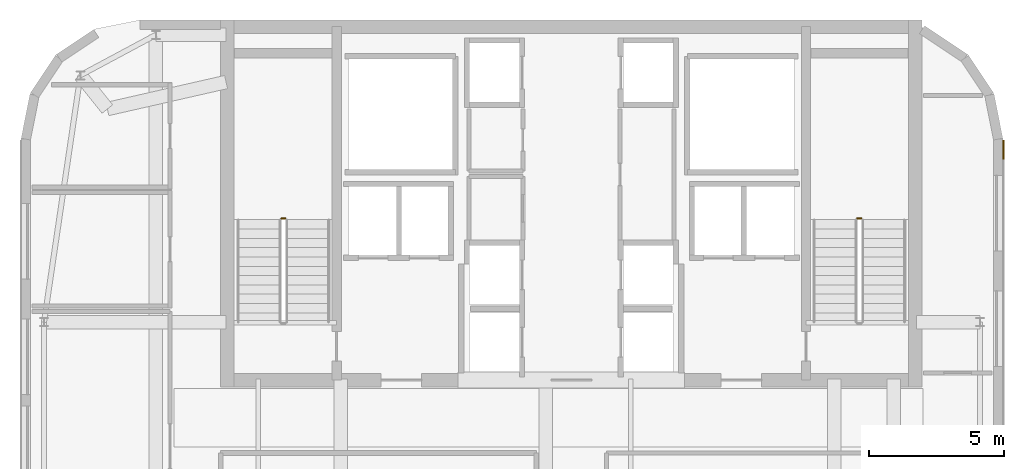
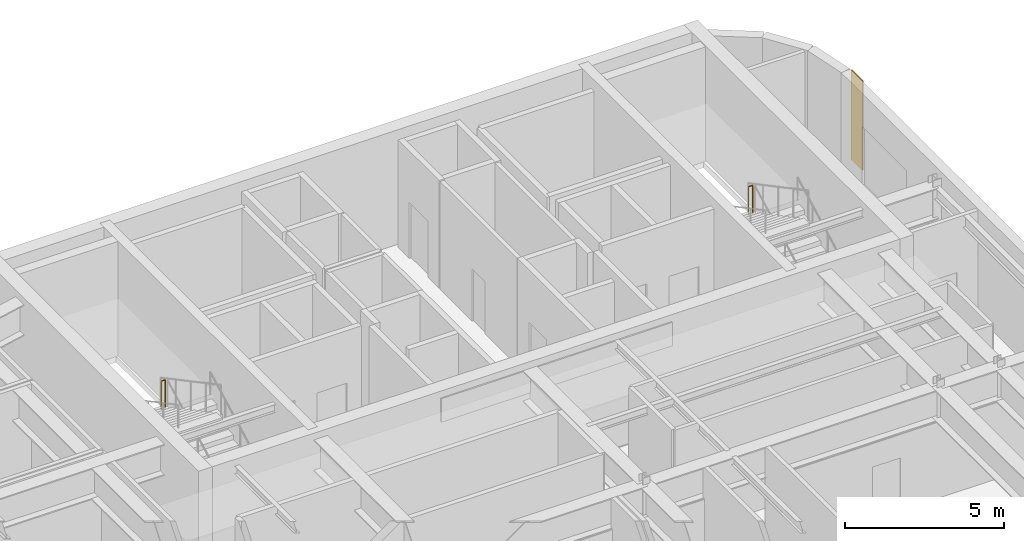
# One storey, part 13 of 13: 2 railings, 1 covering.
"""IFC4 building model written with IfcOpenShell, lengths in metres."""

from ifc_helpers import new_model, si_unit, direction, frame, origin, origin_2d, place, context, subcontext, project, spatial, polyline, circle, outline, extrude, material, layer, layer_set, type_object, element, save


model = new_model("IFC4")

# Units and contexts
model_context = context("Model", 3, precision=1e-05, world=origin(), true_north=direction((0.0, 1.0)))
body_context = subcontext(model_context, "Body", "Model", "MODEL_VIEW")
ifc_project = project(units=[si_unit("LENGTHUNIT", "METRE"), si_unit("AREAUNIT", "SQUARE_METRE"), si_unit("VOLUMEUNIT", "CUBIC_METRE"), si_unit("PLANEANGLEUNIT", "RADIAN"), si_unit("MASSUNIT", "GRAM", prefix="KILO")], contexts=[model_context])

# Site, building, storey
site_placement = place(None, origin())
site = spatial("IfcSite", under=ifc_project, at=site_placement, CompositionType="ELEMENT")
building_placement = place(site_placement, origin())
building = spatial("IfcBuilding", under=site, at=building_placement, Name="Tolvann Quenvar Hotel", CompositionType="ELEMENT")
storey_placement = place(building_placement, frame((0.0, 0.0, 286.550048828125)))
storey = spatial("IfcBuildingStorey", under=building, at=storey_placement, Name="L76", CompositionType="ELEMENT", Elevation=286.550048828125)

# Covering
ifc_material_1 = material(Name="Kiln-fired red architectural face brick cladding", Category="masonry")
ifc_layer = layer(ifc_material_1, 0.0400390625)
ifc_layer_set = layer_set([ifc_layer], Name="Kiln-fired red architectural face brick cladding")
covering_type = type_object("IfcCoveringType", Name="COV_CLAD_BRICK_40", PredefinedType="CLADDING", material=ifc_layer_set)
covering_placement = place(storey_placement, frame((0.0, 0.0, 0.699951171875)))
element("IfcCovering", 1, at=covering_placement, inside=storey, type_object=covering_type, Name="Brick Pier Cladding (L76-E09-P2)", PredefinedType="CLADDING", context=body_context, shape_type="SweptSolid", body=[
    extrude(outline(polyline([(39.0, 40.03271484375), (39.0, 40.73291015625), (39.0400390625, 40.73291015625), (39.0400390625, 40.03271484375), (39.0, 40.03271484375)])), origin(), (0.0, 0.0, 1.0), 3.43994140625),
])

# Railings
ifc_material_2 = material(Name="Brushed 316 stainless steel balustrade and handrail", Category="steel")
railing_type = type_object("IfcRailingType", Name="GUARDRAIL", PredefinedType="GUARDRAIL", material=ifc_material_2)
for number, where, name in (
    (2, (12.39990234375, 37.844970703125, 2.199951171875), "L76 ST-C1 stair guard 2"),
    (3, (33.75, 37.844970703125, 2.199951171875), "L76 ST-C2 stair guard 2"),
):
    element("IfcRailing", number, at=place(storey_placement, frame(where)), inside=storey, type_object=railing_type, Name=name, PredefinedType="GUARDRAIL", context=body_context, shape_type="SweptSolid", body=[
        extrude(circle(Radius=0.02392578125, at=origin_2d()), frame((0.0, 0.0, 1.09619140625), z_axis=(-1.0, 0.0, 0.0), x_axis=(0.0, -1.0, 0.0)), (0.0, 0.0, 1.0), 0.14990234375),
        extrude(circle(Radius=0.02099609375, at=origin_2d()), origin(), (0.0, 0.0, 1.0), 1.072021484375),
        extrude(circle(Radius=0.02099609375, at=origin_2d()), frame((-0.14990234375, 0.0, 0.0)), (0.0, 0.0, 1.0), 1.072021484375),
    ])

save(model, "model.ifc")
